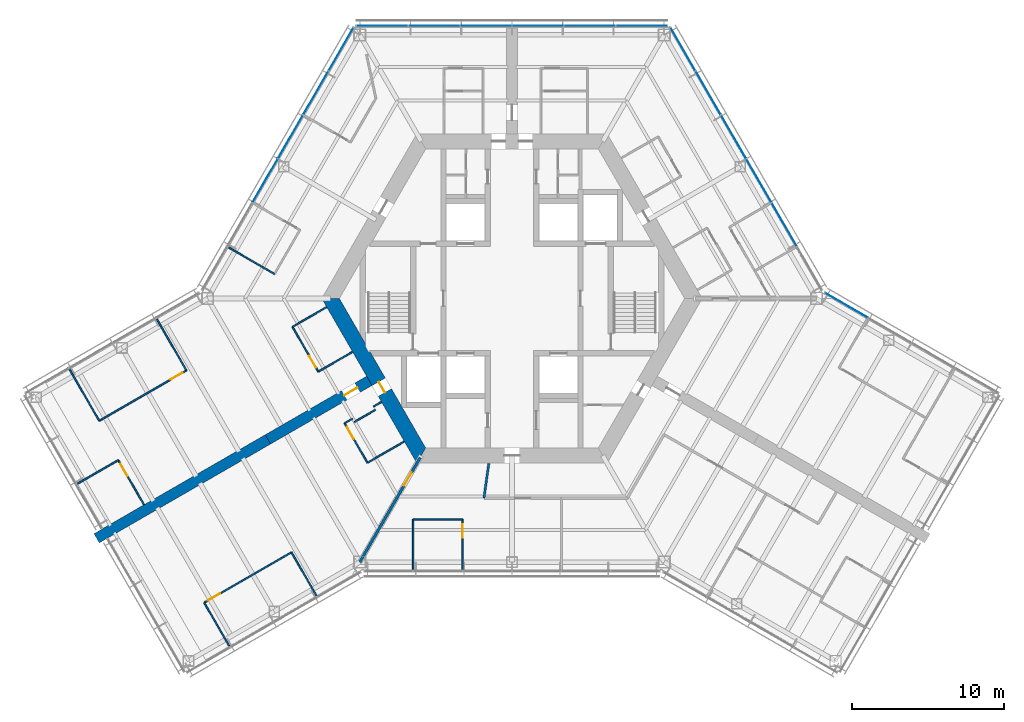
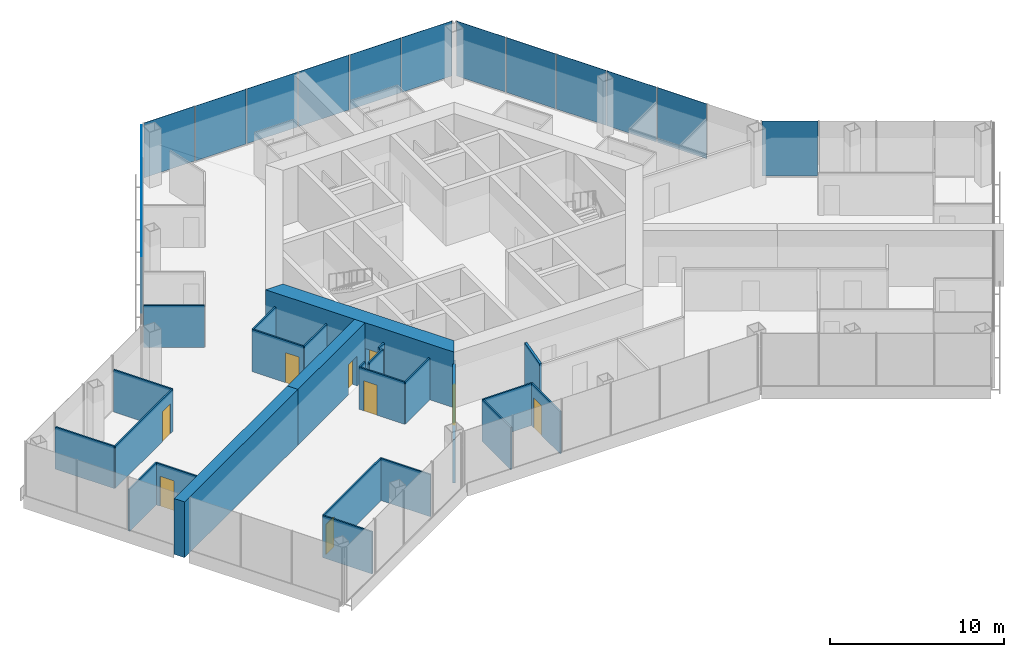
# One storey, part 11 of 18: 25 walls, 16 plates, 9 doors, 9 openings, 4 elements without a shape of their own.
"""IFC4 building model written with IfcOpenShell, lengths in metres."""

import ifcopenshell
import ifcopenshell.guid

model = None  # the IFC model being written
_history = None  # IfcOwnerHistory: only IFC2X3 demands one
_inside = {}  # id of a spatial element -> (the spatial element, [elements in it])
_under = {}  # id of a project, library or spatial element -> (it, [spatial elements below it])
_declared = {}  # id of a project -> (the project, [libraries it declares])
_typed = {}  # id of a type object -> (the type object, [elements of that type])
_made_of = {}  # id of a material, layer set ... -> (it, [elements and type objects made of it])


def new_model(schema):
    """Start an empty IFC model of exactly this schema.

    Asked for "IFC4X3", IfcOpenShell would pick the latest addendum, in which some entities
    have other attributes; the version numbers below select the first issue.
    IFC2X3 requires an IfcOwnerHistory on every rooted entity: one is made here for all.
    """
    global model, _history
    if schema == "IFC4X3":
        model = ifcopenshell.file(schema_version=(4, 3, 0, 0))
    else:
        model = ifcopenshell.file(schema=schema)
    _inside.clear()
    _under.clear()
    _declared.clear()
    _typed.clear()
    _made_of.clear()
    _history = None
    if model.schema == "IFC2X3":
        org = make("IfcOrganization", Name="unknown")
        user = make(
            "IfcPersonAndOrganization",
            ThePerson=make("IfcPerson", FamilyName="unknown"),
            TheOrganization=org,
        )
        app = make(
            "IfcApplication",
            ApplicationDeveloper=org,
            Version="unknown",
            ApplicationFullName="unknown",
            ApplicationIdentifier="unknown",
        )
        _history = make(
            "IfcOwnerHistory",
            OwningUser=user,
            OwningApplication=app,
            ChangeAction="ADDED",
            CreationDate=0,
        )
    return model


def make(cls, **values):
    """One entity of the class cls with the attributes given. An attribute that is None is left unset."""
    return model.create_entity(
        cls, **{name: value for name, value in values.items() if value is not None}
    )


def rooted(cls, **values):
    """An entity with a GlobalId (a new one), such as an element, a storey or a relation."""
    return make(cls, GlobalId=ifcopenshell.guid.new(), OwnerHistory=_history, **values)


def si_unit(unit_type, name, prefix=None):
    """IfcSIUnit, for example si_unit("LENGTHUNIT", "METRE", prefix="MILLI")."""
    return make("IfcSIUnit", UnitType=unit_type, Prefix=prefix, Name=name)


def assignment(units):
    """IfcUnitAssignment: the units of a project."""
    return None if units is None else make("IfcUnitAssignment", Units=units)


def point(xyz):
    """IfcCartesianPoint."""
    return None if xyz is None else make("IfcCartesianPoint", Coordinates=xyz)


def direction(xyz):
    """IfcDirection."""
    return None if xyz is None else make("IfcDirection", DirectionRatios=xyz)


def frame(location, z_axis=None, x_axis=None):
    """IfcAxis2Placement3D, a coordinate frame: its origin and axes. An axis left out is left unset."""
    return make(
        "IfcAxis2Placement3D",
        Location=point(location),
        Axis=direction(z_axis),
        RefDirection=direction(x_axis),
    )


def frame_2d(location, x_axis=None):
    """IfcAxis2Placement2D, a coordinate frame in the plane: its origin and x axis."""
    return make(
        "IfcAxis2Placement2D", Location=point(location), RefDirection=direction(x_axis)
    )


def origin():
    """The frame at (0, 0, 0) with its axes left unset."""
    return frame((0.0, 0.0, 0.0))


def origin_2d():
    """The frame at (0, 0) in the plane with its x axis left unset."""
    return frame_2d((0.0, 0.0))


def place(relative_to, where):
    """IfcLocalPlacement: puts the frame where relative to a parent placement (None: the world)."""
    return make(
        "IfcLocalPlacement", PlacementRelTo=relative_to, RelativePlacement=where
    )


def context(
    kind, dimensions, precision=None, world=None, true_north=None, identifier=None
):
    """IfcGeometricRepresentationContext, for example the 3D "Model" context."""
    return make(
        "IfcGeometricRepresentationContext",
        ContextIdentifier=identifier,
        ContextType=kind,
        CoordinateSpaceDimension=dimensions,
        Precision=precision,
        WorldCoordinateSystem=world,
        TrueNorth=true_north,
    )


def subcontext(parent, identifier, kind, view, scale=None):
    """IfcGeometricRepresentationSubContext, for example "Body" below "Model"."""
    return make(
        "IfcGeometricRepresentationSubContext",
        ContextIdentifier=identifier,
        ContextType=kind,
        ParentContext=parent,
        TargetScale=scale,
        TargetView=view,
    )


def project(units=None, contexts=None):
    """IfcProject with its units and contexts."""
    return rooted(
        "IfcProject",
        Name="project",
        RepresentationContexts=contexts,
        UnitsInContext=assignment(units),
    )


def spatial(cls, under=None, at=None, **own):
    """A site, building, storey or space (cls), placed at a placement, below another one or the project."""
    s = rooted(cls, ObjectPlacement=at, **own)
    if under is not None:
        _under.setdefault(under.id(), (under, []))[1].append(s)
    return s


def polyline(points):
    """IfcPolyline through the points."""
    return make("IfcPolyline", Points=[point(p) for p in points])


def profile(cls, at=None, kind="AREA", **sizes):
    """A parametric profile (cls). Its sizes go by their IFC names, for example OverallWidth=200.0."""
    return make(cls, ProfileType=kind, Position=at, **sizes)


def rectangle(**sizes):
    """IfcRectangleProfileDef."""
    return profile("IfcRectangleProfileDef", **sizes)


def outline(outer, holes=None, kind="AREA"):
    """IfcArbitraryClosedProfileDef: a profile drawn as a closed curve; with holes, ...WithVoids."""
    if holes is None:
        return make("IfcArbitraryClosedProfileDef", ProfileType=kind, OuterCurve=outer)
    return make(
        "IfcArbitraryProfileDefWithVoids",
        ProfileType=kind,
        OuterCurve=outer,
        InnerCurves=holes,
    )


def extrude(swept, where, along, depth):
    """IfcExtrudedAreaSolid: the profile swept, set in the frame where, extruded along a direction by depth."""
    return make(
        "IfcExtrudedAreaSolid",
        SweptArea=swept,
        Position=where,
        ExtrudedDirection=direction(along),
        Depth=depth,
    )


def shape(context_of_items, identifier, shape_type, items):
    """IfcShapeRepresentation: the items that make up one representation, for example the "Body"."""
    return make(
        "IfcShapeRepresentation",
        ContextOfItems=context_of_items,
        RepresentationIdentifier=identifier,
        RepresentationType=shape_type,
        Items=items,
    )


def material(Name=None, Category=None):
    """IfcMaterial."""
    return make("IfcMaterial", Name=Name, Category=Category)


def layer(
    of_material, thickness, ventilated=None, Name=None, Category=None, Priority=None
):
    """IfcMaterialLayer: one layer of a wall or slab, of a material (None: an air gap)."""
    return make(
        "IfcMaterialLayer",
        Material=of_material,
        LayerThickness=thickness,
        IsVentilated=ventilated,
        Name=Name,
        Category=Category,
        Priority=Priority,
    )


def layer_set(layers, Name=None):
    """IfcMaterialLayerSet."""
    return make("IfcMaterialLayerSet", MaterialLayers=layers, LayerSetName=Name)


def made_of(thing, what):
    """Note that an element or type object is made of a material, layer set ...; save() writes the relation."""
    if what is not None:
        _made_of.setdefault(what.id(), (what, []))[1].append(thing)
    return thing


def type_object(cls, material=None, **own):
    """A type object (cls), such as IfcWallType, which elements share."""
    return made_of(rooted(cls, **own), material)


def element(
    cls,
    number,
    at=None,
    inside=None,
    cuts=None,
    type_object=None,
    material=None,
    context=None,
    identifier="Body",
    shape_type=None,
    held_by="IfcProductDefinitionShape",
    body=None,
    shapes=None,
    **own,
):
    """One element of the class cls, such as IfcWall. Its Tag is "e" and its number.

    at: its placement. inside: the storey or other place that contains it. cuts: it is an
    opening in that element (IfcRelVoidsElement). A single representation is given by context,
    identifier, shape_type and body (its items); several are given by shapes. held_by: the class
    of the entity that holds the representations. save() writes the other relations.
    """
    e = rooted(cls, Tag="e%d" % number, ObjectPlacement=at, **own)
    if body is not None:
        shapes = [shape(context, identifier, shape_type, body)]
    if shapes is not None:
        e.Representation = make(held_by, Representations=shapes)
    if inside is not None:
        _inside.setdefault(inside.id(), (inside, []))[1].append(e)
    if cuts is not None:
        rooted(
            "IfcRelVoidsElement", RelatingBuildingElement=cuts, RelatedOpeningElement=e
        )
    if type_object is not None:
        _typed.setdefault(type_object.id(), (type_object, []))[1].append(e)
    return made_of(e, material)


def fill(opening, filler):
    """IfcRelFillsElement: the door or window that sits in an opening."""
    return rooted(
        "IfcRelFillsElement",
        RelatingOpeningElement=opening,
        RelatedBuildingElement=filler,
    )


def aggregate(whole, parts):
    """IfcRelAggregates: a whole, such as a stair, and the parts it consists of."""
    return rooted("IfcRelAggregates", RelatingObject=whole, RelatedObjects=parts)


def save(model, path):
    """Write the relations noted so far, then the file.

    IfcRelAggregates (storeys below a building ...), IfcRelContainedInSpatialStructure (elements
    in a storey), IfcRelDefinesByType, IfcRelAssociatesMaterial and IfcRelDeclares: one each for
    every whole, place, type object, material and project.
    """
    for whole, parts in _under.values():
        aggregate(whole, parts)
    for where, things in _inside.values():
        rooted(
            "IfcRelContainedInSpatialStructure",
            RelatedElements=things,
            RelatingStructure=where,
        )
    for kind, things in _typed.values():
        rooted("IfcRelDefinesByType", RelatedObjects=things, RelatingType=kind)
    for what, things in _made_of.values():
        rooted("IfcRelAssociatesMaterial", RelatedObjects=things, RelatingMaterial=what)
    for by, libraries in _declared.values():
        rooted("IfcRelDeclares", RelatingContext=by, RelatedDefinitions=libraries)
    model.write(path)


model = new_model("IFC4")

# Units and contexts
model_context = context("Model", 3, precision=1e-05, world=origin(), true_north=direction((0.0, 1.0)))
body_context = subcontext(model_context, "Body", "Model", "MODEL_VIEW")
ifc_project = project(units=[si_unit("LENGTHUNIT", "METRE"), si_unit("AREAUNIT", "SQUARE_METRE"), si_unit("VOLUMEUNIT", "CUBIC_METRE"), si_unit("PLANEANGLEUNIT", "RADIAN"), si_unit("MASSUNIT", "GRAM", prefix="KILO")], contexts=[model_context])

# Site, building, storey
site_placement = place(None, origin())
site = spatial("IfcSite", under=ifc_project, at=site_placement, CompositionType="ELEMENT")
building_placement = place(site_placement, origin())
building = spatial("IfcBuilding", under=site, at=building_placement, Name="Kasaneha Research Tower", CompositionType="ELEMENT")
storey_placement = place(building_placement, frame((0.0, 0.0, 172.10009765625)))
storey = spatial("IfcBuildingStorey", under=building, at=storey_placement, Name="L43", CompositionType="ELEMENT", Elevation=172.10009765625)

# Curtain wall, plate
ifc_material_1 = material(Name="Glass and aluminium", Category="aluminium")
curtain_wall_type = type_object("IfcCurtainWallType", Name="Mid-rise office curtain wall", PredefinedType="USERDEFINED", material=ifc_material_1)
curtain_wall_1_placement = place(storey_placement, origin())
curtain_wall_1 = element("IfcCurtainWall", 1, at=curtain_wall_1_placement, inside=storey, type_object=curtain_wall_type, Name="CW-O2 L43 run 05a", ObjectType="UNITISED CURTAIN WALL", PredefinedType="USERDEFINED")
ifc_material_2 = material(Name="Laminated double glazing", Category="glass")
ifc_layer_1 = layer(ifc_material_2, 0.02587890625)
ifc_layer_set_1 = layer_set([ifc_layer_1], Name="CW-O2 glazed panel")
plate_type = type_object("IfcPlateType", Name="CW-O2 glazed panel", PredefinedType="CURTAIN_PANEL", material=ifc_layer_set_1)
plate_1_placement = place(storey_placement, frame((21.971923828125, -0.44580078125, 0.06005859375), z_axis=(0.0, 0.0, 1.0), x_axis=(-0.866025411464, 0.499999986699, 0.0)))
plate_1 = element("IfcPlate", 2, at=plate_1_placement, type_object=plate_type, Name="CW-O2 panel 4", PredefinedType="CURTAIN_PANEL", context=body_context, shape_type="SweptSolid", body=[
    extrude(rectangle(XDim=3.2197265625, YDim=0.02587890625, at=origin_2d()), origin(), (0.0, 0.0, 1.0), 3.840087890625),
])
aggregate(curtain_wall_1, [plate_1])

# Curtain wall, plates
curtain_wall_2_placement = place(storey_placement, origin())
curtain_wall_2 = element("IfcCurtainWall", 3, at=curtain_wall_2_placement, inside=storey, type_object=curtain_wall_type, Name="CW-O2 L43 run 06a", ObjectType="UNITISED CURTAIN WALL", PredefinedType="USERDEFINED")
plate_2_placement = place(storey_placement, frame((17.89111328125, 4.852783203125, 0.06005859375), z_axis=(0.0, 0.0, 1.0), x_axis=(-0.499999979232, 0.866025415775, 0.0)))
plate_2 = element("IfcPlate", 4, at=plate_2_placement, type_object=plate_type, Name="CW-O2 panel 2", PredefinedType="CURTAIN_PANEL", context=body_context, shape_type="SweptSolid", body=[
    extrude(rectangle(XDim=3.27099609375, YDim=0.02587890625, at=origin_2d()), origin(), (0.0, 0.0, 1.0), 3.840087890625),
])
plate_3_placement = place(storey_placement, frame((16.2255859375, 7.737548828125, 0.06005859375), z_axis=(0.0, 0.0, 1.0), x_axis=(-0.499999979232, 0.866025415775, 0.0)))
plate_3 = element("IfcPlate", 5, at=plate_3_placement, type_object=plate_type, Name="CW-O2 panel 3", PredefinedType="CURTAIN_PANEL", context=body_context, shape_type="SweptSolid", body=[
    extrude(rectangle(XDim=3.27099609375, YDim=0.02587890625, at=origin_2d()), origin(), (0.0, 0.0, 1.0), 3.840087890625),
])
plate_4_placement = place(storey_placement, frame((14.56005859375, 10.622314453125, 0.06005859375), z_axis=(0.0, 0.0, 1.0), x_axis=(-0.499999979232, 0.866025415775, 0.0)))
plate_4 = element("IfcPlate", 6, at=plate_4_placement, type_object=plate_type, Name="CW-O2 panel 4", PredefinedType="CURTAIN_PANEL", context=body_context, shape_type="SweptSolid", body=[
    extrude(rectangle(XDim=3.27099609375, YDim=0.02587890625, at=origin_2d()), origin(), (0.0, 0.0, 1.0), 3.840087890625),
])
plate_5_placement = place(storey_placement, frame((12.89453125, 13.5068359375, 0.06005859375), z_axis=(0.0, 0.0, 1.0), x_axis=(-0.499999979232, 0.866025415775, 0.0)))
plate_5 = element("IfcPlate", 7, at=plate_5_placement, type_object=plate_type, Name="CW-O2 panel 5", PredefinedType="CURTAIN_PANEL", context=body_context, shape_type="SweptSolid", body=[
    extrude(rectangle(XDim=3.27099609375, YDim=0.02587890625, at=origin_2d()), origin(), (0.0, 0.0, 1.0), 3.840087890625),
])
plate_6_placement = place(storey_placement, frame((11.236572265625, 16.378662109375, 0.06005859375), z_axis=(0.0, 0.0, 1.0), x_axis=(-0.499999979232, 0.866025415775, 0.0)))
plate_6 = element("IfcPlate", 8, at=plate_6_placement, type_object=plate_type, Name="CW-O2 panel 6", PredefinedType="CURTAIN_PANEL", context=body_context, shape_type="SweptSolid", body=[
    extrude(rectangle(XDim=3.240966796875, YDim=0.02587890625, at=origin_2d()), origin(), (0.0, 0.0, 1.0), 3.840087890625),
])
aggregate(curtain_wall_2, [plate_2, plate_3, plate_4, plate_5, plate_6])

curtain_wall_3_placement = place(storey_placement, origin())
curtain_wall_3 = element("IfcCurtainWall", 9, at=curtain_wall_3_placement, inside=storey, type_object=curtain_wall_type, Name="CW-O2 L43 run 07a", ObjectType="UNITISED CURTAIN WALL", PredefinedType="USERDEFINED")
plate_7_placement = place(storey_placement, frame((8.523681640625, 17.92041015625, 0.06005859375), z_axis=(0.0, 0.0, 1.0), x_axis=(-1.0, 0.0, 0.0)))
plate_7 = element("IfcPlate", 10, at=plate_7_placement, type_object=plate_type, Name="CW-O2 panel 1", PredefinedType="CURTAIN_PANEL", context=body_context, shape_type="SweptSolid", body=[
    extrude(rectangle(XDim=3.325439453125, YDim=0.02587890625, at=origin_2d()), origin(), (0.0, 0.0, 1.0), 3.840087890625),
])
plate_8_placement = place(storey_placement, frame((5.123291015625, 17.92041015625, 0.06005859375), z_axis=(0.0, 0.0, 1.0), x_axis=(-1.0, 0.0, 0.0)))
plate_8 = element("IfcPlate", 11, at=plate_8_placement, type_object=plate_type, Name="CW-O2 panel 2", PredefinedType="CURTAIN_PANEL", context=body_context, shape_type="SweptSolid", body=[
    extrude(rectangle(XDim=3.35546875, YDim=0.02587890625, at=origin_2d()), origin(), (0.0, 0.0, 1.0), 3.840087890625),
])
plate_9_placement = place(storey_placement, frame((1.707763671875, 17.92041015625, 0.06005859375), z_axis=(0.0, 0.0, 1.0), x_axis=(-1.0, 0.0, 0.0)))
plate_9 = element("IfcPlate", 12, at=plate_9_placement, type_object=plate_type, Name="CW-O2 panel 3", PredefinedType="CURTAIN_PANEL", context=body_context, shape_type="SweptSolid", body=[
    extrude(rectangle(XDim=3.35546875, YDim=0.02587890625, at=origin_2d()), origin(), (0.0, 0.0, 1.0), 3.840087890625),
])
plate_10_placement = place(storey_placement, frame((-1.707763671875, 17.92041015625, 0.06005859375), z_axis=(0.0, 0.0, 1.0), x_axis=(-1.0, 0.0, 0.0)))
plate_10 = element("IfcPlate", 13, at=plate_10_placement, type_object=plate_type, Name="CW-O2 panel 4", PredefinedType="CURTAIN_PANEL", context=body_context, shape_type="SweptSolid", body=[
    extrude(rectangle(XDim=3.35546875, YDim=0.02587890625, at=origin_2d()), origin(), (0.0, 0.0, 1.0), 3.840087890625),
])
plate_11_placement = place(storey_placement, frame((-5.123291015625, 17.92041015625, 0.06005859375), z_axis=(0.0, 0.0, 1.0), x_axis=(-1.0, 0.0, 0.0)))
plate_11 = element("IfcPlate", 14, at=plate_11_placement, type_object=plate_type, Name="CW-O2 panel 5", PredefinedType="CURTAIN_PANEL", context=body_context, shape_type="SweptSolid", body=[
    extrude(rectangle(XDim=3.35546875, YDim=0.02587890625, at=origin_2d()), origin(), (0.0, 0.0, 1.0), 3.840087890625),
])
plate_12_placement = place(storey_placement, frame((-8.523681640625, 17.92041015625, 0.06005859375), z_axis=(0.0, 0.0, 1.0), x_axis=(-1.0, 0.0, 0.0)))
plate_12 = element("IfcPlate", 15, at=plate_12_placement, type_object=plate_type, Name="CW-O2 panel 6", PredefinedType="CURTAIN_PANEL", context=body_context, shape_type="SweptSolid", body=[
    extrude(rectangle(XDim=3.325439453125, YDim=0.02587890625, at=origin_2d()), origin(), (0.0, 0.0, 1.0), 3.840087890625),
])
aggregate(curtain_wall_3, [plate_7, plate_8, plate_9, plate_10, plate_11, plate_12])

curtain_wall_4_placement = place(storey_placement, origin())
curtain_wall_4 = element("IfcCurtainWall", 16, at=curtain_wall_4_placement, inside=storey, type_object=curtain_wall_type, Name="CW-O2 L43 run 08a", ObjectType="UNITISED CURTAIN WALL", PredefinedType="USERDEFINED")
plate_13_placement = place(storey_placement, frame((-11.236572265625, 16.378662109375, 0.06005859375), z_axis=(0.0, 0.0, 1.0), x_axis=(-0.499999979232, -0.866025415775, 0.0)))
plate_13 = element("IfcPlate", 17, at=plate_13_placement, type_object=plate_type, Name="CW-O2 panel 1", PredefinedType="CURTAIN_PANEL", context=body_context, shape_type="SweptSolid", body=[
    extrude(rectangle(XDim=3.240966796875, YDim=0.02587890625, at=origin_2d()), origin(), (0.0, 0.0, 1.0), 3.840087890625),
])
plate_14_placement = place(storey_placement, frame((-12.89453125, 13.5068359375, 0.06005859375), z_axis=(0.0, 0.0, 1.0), x_axis=(-0.499999979232, -0.866025415775, 0.0)))
plate_14 = element("IfcPlate", 18, at=plate_14_placement, type_object=plate_type, Name="CW-O2 panel 2", PredefinedType="CURTAIN_PANEL", context=body_context, shape_type="SweptSolid", body=[
    extrude(rectangle(XDim=3.27099609375, YDim=0.02587890625, at=origin_2d()), origin(), (0.0, 0.0, 1.0), 3.840087890625),
])
plate_15_placement = place(storey_placement, frame((-14.56005859375, 10.622314453125, 0.06005859375), z_axis=(0.0, 0.0, 1.0), x_axis=(-0.499999979232, -0.866025415775, 0.0)))
plate_15 = element("IfcPlate", 19, at=plate_15_placement, type_object=plate_type, Name="CW-O2 panel 3", PredefinedType="CURTAIN_PANEL", context=body_context, shape_type="SweptSolid", body=[
    extrude(rectangle(XDim=3.27099609375, YDim=0.02587890625, at=origin_2d()), origin(), (0.0, 0.0, 1.0), 3.840087890625),
])
plate_16_placement = place(storey_placement, frame((-16.2255859375, 7.737548828125, 0.06005859375), z_axis=(0.0, 0.0, 1.0), x_axis=(-0.499999979232, -0.866025415775, 0.0)))
plate_16 = element("IfcPlate", 20, at=plate_16_placement, type_object=plate_type, Name="CW-O2 panel 4", PredefinedType="CURTAIN_PANEL", context=body_context, shape_type="SweptSolid", body=[
    extrude(rectangle(XDim=3.27099609375, YDim=0.02587890625, at=origin_2d()), origin(), (0.0, 0.0, 1.0), 3.840087890625),
])
aggregate(curtain_wall_4, [plate_13, plate_14, plate_15, plate_16])

# Wall, opening, door
ifc_material_3 = material(Name="Concrete Fc70", Category="concrete")
ifc_layer_2 = layer(ifc_material_3, 1.0)
ifc_layer_set_2 = layer_set([ifc_layer_2], Name="Core wall 1000 Fc70")
wall_type_1 = type_object("IfcWallType", Name="Core wall 1000 Fc70", PredefinedType="SHEAR", material=ifc_layer_set_2)
wall_1_placement = place(storey_placement, frame((-11.92236328125, 0.0, 0.0), z_axis=(0.0, 0.0, 1.0), x_axis=(0.500004296715, -0.866022923061, 0.0)))
wall_1 = element("IfcWall", 21, at=wall_1_placement, inside=storey, type_object=wall_type_1, Name="Core wall 210 L43", PredefinedType="SHEAR", context=body_context, shape_type="SweptSolid", body=[
    extrude(outline(polyline([(-0.28857421875, -0.5), (6.3310546875, -0.5), (7.131103515625, -0.5), (12.2109375, -0.5), (11.6337890625, 0.5), (7.131103515625, 0.5), (6.3310546875, 0.5), (0.28857421875, 0.5), (-0.28857421875, -0.5)])), origin(), (0.0, 0.0, 1.0), 3.89990234375),
])
opening_1_placement = place(wall_1_placement, frame((6.3310546875, 0.0, 0.0)))
opening_1 = element("IfcOpeningElement", 22, at=opening_1_placement, cuts=wall_1, Name="Opening L43-D06", PredefinedType="OPENING", context=body_context, shape_type="SweptSolid", body=[
    extrude(rectangle(XDim=0.800048828125, YDim=2.10009765625, at=frame_2d((0.39990234375, 1.050048828125))), frame((0.0, 0.510009765625, 0.0), z_axis=(0.0, -1.0, 0.0), x_axis=(1.0, 0.0, 0.0)), (0.0, 0.0, 1.0), 1.02001953125),
])
ifc_material_4 = material(Name="Steel", Category="steel")
door_type_1 = type_object("IfcDoorType", Name="Riser access door FD60 800x2100", OperationType="NOTDEFINED", PredefinedType="DOOR", material=ifc_material_4)
door_1_placement = place(opening_1_placement, origin())
door_1 = element("IfcDoor", 23, at=door_1_placement, inside=storey, type_object=door_type_1, Name="Duct riser door L43-D06", OperationType="SINGLE_SWING_RIGHT", OverallHeight=2.10009765625, OverallWidth=0.800048828125, PredefinedType="DOOR", context=body_context, shape_type="SweptSolid", body=[
    extrude(rectangle(XDim=0.800048828125, YDim=2.10009765625, at=frame_2d((0.39990234375, 1.050048828125))), frame((0.0, 0.02490234375, 0.0), z_axis=(0.0, -1.0, 0.0), x_axis=(1.0, 0.0, 0.0)), (0.0, 0.0, 1.0), 0.050048828125),
])
fill(opening_1, door_1)

# Walls
ifc_material_5 = material(Name="Gypsum board on steel studs, one layer each side", Category="steel")
ifc_layer_3 = layer(ifc_material_5, 0.10009765625)
ifc_layer_set_3 = layer_set([ifc_layer_3], Name="Office partition 100")
wall_type_2 = type_object("IfcWallType", Name="Office partition 100", PredefinedType="PARTITIONING", material=ifc_layer_set_3)
wall_2_placement = place(storey_placement, frame((-15.606201171875, 1.610595703125, 0.0), z_axis=(0.0, 0.0, 1.0), x_axis=(-0.86601968407, 0.500009906705, 0.0)))
element("IfcWall", 24, at=wall_2_placement, inside=storey, type_object=wall_type_2, Name="Office partition FBN05 L43", PredefinedType="PARTITIONING", context=body_context, shape_type="SweptSolid", body=[
    extrude(rectangle(XDim=3.47998046875, YDim=0.10009765625, at=frame_2d((1.739990234375, 0.0))), origin(), (0.0, 0.0, 1.0), 2.949951171875),
])
wall_3_placement = place(storey_placement, frame((-27.125, -8.03955078125, 0.0), z_axis=(0.0, 0.0, 1.0), x_axis=(-0.499978621081, 0.866037746557, 0.0)))
element("IfcWall", 25, at=wall_3_placement, inside=storey, type_object=wall_type_2, Name="Office partition FBN07 L43", PredefinedType="PARTITIONING", context=body_context, shape_type="SweptSolid", body=[
    extrude(rectangle(XDim=3.905029296875, YDim=0.10009765625, at=frame_2d((1.95263671875, 0.0))), origin(), (0.0, 0.0, 1.0), 2.949951171875),
])
wall_4_placement = place(storey_placement, frame((-23.332275390625, -1.36962890625, 0.0), z_axis=(0.0, 0.0, 1.0), x_axis=(0.500043804875, -0.866000111551, 0.0)))
element("IfcWall", 26, at=wall_4_placement, inside=storey, type_object=wall_type_2, Name="Office partition FBN08 L43", PredefinedType="PARTITIONING", context=body_context, shape_type="SweptSolid", body=[
    extrude(rectangle(XDim=3.880126953125, YDim=0.10009765625, at=frame_2d((1.93994140625, 0.0))), origin(), (0.0, 0.0, 1.0), 2.949951171875),
])

# Wall, opening, door
wall_5_placement = place(storey_placement, frame((-21.39208984375, -4.729736328125, 0.0), z_axis=(0.0, 0.0, 1.0), x_axis=(-0.866030817826, -0.499990622488, 0.0)))
wall_5 = element("IfcWall", 27, at=wall_5_placement, inside=storey, type_object=wall_type_2, Name="Office partition FBN09 L43", PredefinedType="PARTITIONING", context=body_context, shape_type="SweptSolid", body=[
    extrude(rectangle(XDim=6.619873046875, YDim=0.10009765625, at=frame_2d((3.31005859375, 0.0))), origin(), (0.0, 0.0, 1.0), 2.949951171875),
])
opening_2_placement = place(wall_5_placement, frame((0.300048828125, 0.0, 0.0)))
opening_2 = element("IfcOpeningElement", 28, at=opening_2_placement, cuts=wall_5, Name="Opening L43-D37", PredefinedType="OPENING", context=body_context, shape_type="SweptSolid", body=[
    extrude(rectangle(XDim=0.89990234375, YDim=2.10009765625, at=frame_2d((0.449951171875, 1.050048828125))), frame((0.0, 0.06005859375, 0.0), z_axis=(0.0, -1.0, 0.0), x_axis=(1.0, 0.0, 0.0)), (0.0, 0.0, 1.0), 0.1201171875),
])
ifc_material_6 = material(Name="Timber veneer", Category="wood")
door_type_2 = type_object("IfcDoorType", Name="Office door 900x2100", OperationType="SINGLE_SWING_LEFT", PredefinedType="DOOR", material=ifc_material_6)
door_2_placement = place(opening_2_placement, origin())
door_2 = element("IfcDoor", 29, at=door_2_placement, inside=storey, type_object=door_type_2, Name="Meeting room door L43-D37", OperationType="SINGLE_SWING_LEFT", OverallHeight=2.10009765625, OverallWidth=0.89990234375, PredefinedType="DOOR", context=body_context, shape_type="SweptSolid", body=[
    extrude(rectangle(XDim=0.89990234375, YDim=2.10009765625, at=frame_2d((0.449951171875, 1.050048828125))), frame((0.0, 0.02490234375, 0.0), z_axis=(0.0, -1.0, 0.0), x_axis=(1.0, 0.0, 0.0)), (0.0, 0.0, 1.0), 0.050048828125),
])
fill(opening_2, door_2)

# Wall
wall_6_placement = place(storey_placement, frame((-14.426513671875, -1.86279296875, 0.0), z_axis=(0.0, 0.0, 1.0), x_axis=(0.866045356598, 0.49996543912, 0.0)))
element("IfcWall", 30, at=wall_6_placement, inside=storey, type_object=wall_type_2, Name="Office partition FBN10 L43", PredefinedType="PARTITIONING", context=body_context, shape_type="SweptSolid", body=[
    extrude(rectangle(XDim=2.580322265625, YDim=0.10009765625, at=frame_2d((1.2900390625, 0.0))), origin(), (0.0, 0.0, 1.0), 2.949951171875),
])

# Wall, opening, door
wall_7_placement = place(storey_placement, frame((-12.726318359375, -4.80712890625, 0.0), z_axis=(0.0, 0.0, 1.0), x_axis=(-0.500062241894, 0.865989465428, 0.0)))
wall_7 = element("IfcWall", 31, at=wall_7_placement, inside=storey, type_object=wall_type_2, Name="Office partition FBN11 L43", PredefinedType="PARTITIONING", context=body_context, shape_type="SweptSolid", body=[
    extrude(rectangle(XDim=3.39990234375, YDim=0.10009765625, at=frame_2d((1.699951171875, 0.0))), origin(), (0.0, 0.0, 1.0), 2.949951171875),
])
opening_3_placement = place(wall_7_placement, frame((0.300048828125, 0.0, 0.0)))
opening_3 = element("IfcOpeningElement", 32, at=opening_3_placement, cuts=wall_7, Name="Opening L43-D38", PredefinedType="OPENING", context=body_context, shape_type="SweptSolid", body=[
    extrude(rectangle(XDim=0.89990234375, YDim=2.10009765625, at=frame_2d((0.449951171875, 1.050048828125))), frame((0.0, 0.06005859375, 0.0), z_axis=(0.0, -1.0, 0.0), x_axis=(1.0, 0.0, 0.0)), (0.0, 0.0, 1.0), 0.1201171875),
])
door_3_placement = place(opening_3_placement, origin())
door_3 = element("IfcDoor", 33, at=door_3_placement, inside=storey, type_object=door_type_2, Name="Phone room door L43-D38", OperationType="SINGLE_SWING_LEFT", OverallHeight=2.10009765625, OverallWidth=0.89990234375, PredefinedType="DOOR", context=body_context, shape_type="SweptSolid", body=[
    extrude(rectangle(XDim=0.89990234375, YDim=2.10009765625, at=frame_2d((0.449951171875, 1.050048828125))), frame((0.0, 0.02490234375, 0.0), z_axis=(0.0, -1.0, 0.0), x_axis=(1.0, 0.0, 0.0)), (0.0, 0.0, 1.0), 0.050048828125),
])
fill(opening_3, door_3)

# Walls
wall_8_placement = place(storey_placement, frame((-10.491943359375, -3.51708984375, 0.0), z_axis=(0.0, 0.0, 1.0), x_axis=(-0.866021702275, -0.500006411147, 0.0)))
element("IfcWall", 34, at=wall_8_placement, inside=storey, type_object=wall_type_2, Name="Office partition FBN12 L43", PredefinedType="PARTITIONING", context=body_context, shape_type="SweptSolid", body=[
    extrude(rectangle(XDim=2.580078125, YDim=0.10009765625, at=frame_2d((1.2900390625, 0.0))), origin(), (0.0, 0.0, 1.0), 2.949951171875),
])
wall_9_placement = place(storey_placement, frame((-28.5625, -12.1796875, 0.0), z_axis=(0.0, 0.0, 1.0), x_axis=(0.866042875753, 0.499969736442, 0.0)))
element("IfcWall", 35, at=wall_9_placement, inside=storey, type_object=wall_type_2, Name="Office partition FBN13 L43", PredefinedType="PARTITIONING", context=body_context, shape_type="SweptSolid", body=[
    extrude(rectangle(XDim=3.105224609375, YDim=0.10009765625, at=frame_2d((1.552734375, 0.0))), origin(), (0.0, 0.0, 1.0), 2.949951171875),
])

# Wall, opening, door
wall_10_placement = place(storey_placement, frame((-25.873291015625, -10.627197265625, 0.0), z_axis=(0.0, 0.0, 1.0), x_axis=(0.5000115033, -0.866018762249, 0.0)))
wall_10 = element("IfcWall", 36, at=wall_10_placement, inside=storey, type_object=wall_type_2, Name="Office partition FBN14 L43", PredefinedType="PARTITIONING", context=body_context, shape_type="SweptSolid", body=[
    extrude(rectangle(XDim=3.36328125, YDim=0.10009765625, at=frame_2d((1.681640625, 0.0))), origin(), (0.0, 0.0, 1.0), 2.949951171875),
])
opening_4_placement = place(wall_10_placement, frame((0.300048828125, 0.0, 0.0)))
opening_4 = element("IfcOpeningElement", 37, at=opening_4_placement, cuts=wall_10, Name="Opening L43-D39", PredefinedType="OPENING", context=body_context, shape_type="SweptSolid", body=[
    extrude(rectangle(XDim=0.89990234375, YDim=2.10009765625, at=frame_2d((0.449951171875, 1.050048828125))), frame((0.0, 0.06005859375, 0.0), z_axis=(0.0, -1.0, 0.0), x_axis=(1.0, 0.0, 0.0)), (0.0, 0.0, 1.0), 0.1201171875),
])
door_4_placement = place(opening_4_placement, origin())
door_4 = element("IfcDoor", 38, at=door_4_placement, inside=storey, type_object=door_type_2, Name="Workroom door L43-D39", OperationType="SINGLE_SWING_LEFT", OverallHeight=2.10009765625, OverallWidth=0.89990234375, PredefinedType="DOOR", context=body_context, shape_type="SweptSolid", body=[
    extrude(rectangle(XDim=0.89990234375, YDim=2.10009765625, at=frame_2d((0.449951171875, 1.050048828125))), frame((0.0, 0.02490234375, 0.0), z_axis=(0.0, -1.0, 0.0), x_axis=(1.0, 0.0, 0.0)), (0.0, 0.0, 1.0), 0.050048828125),
])
fill(opening_4, door_4)

# Walls
wall_11_placement = place(storey_placement, frame((-10.99951171875, -8.197998046875, 0.0), z_axis=(0.0, 0.0, 1.0), x_axis=(0.866131372301, 0.499816412211, 0.0)))
element("IfcWall", 39, at=wall_11_placement, inside=storey, type_object=wall_type_2, Name="Office partition FBS01 L43", PredefinedType="PARTITIONING", context=body_context, shape_type="SweptSolid", body=[
    extrude(rectangle(XDim=0.599853515625, YDim=0.10009765625, at=frame_2d((0.2998046875, 0.0))), origin(), (0.0, 0.0, 1.0), 2.949951171875),
])
wall_12_placement = place(storey_placement, frame((-10.35498046875, -8.114501953125, 0.0), z_axis=(0.0, 0.0, 1.0), x_axis=(0.866094119867, 0.499880961361, 0.0)))
element("IfcWall", 40, at=wall_12_placement, inside=storey, type_object=wall_type_2, Name="Office partition FBS02 L43", PredefinedType="PARTITIONING", context=body_context, shape_type="SweptSolid", body=[
    extrude(rectangle(XDim=1.60009765625, YDim=0.10009765625, at=frame_2d((0.800048828125, 0.0))), origin(), (0.0, 0.0, 1.0), 2.949951171875),
])

# Wall, opening, door
wall_13_placement = place(storey_placement, frame((-9.49951171875, -10.796142578125, 0.0), z_axis=(0.0, 0.0, 1.0), x_axis=(-0.499990139034, 0.866031096941, 0.0)))
wall_13 = element("IfcWall", 41, at=wall_13_placement, inside=storey, type_object=wall_type_2, Name="Office partition FBS03 L43", PredefinedType="PARTITIONING", context=body_context, shape_type="SweptSolid", body=[
    extrude(rectangle(XDim=3.0, YDim=0.10009765625, at=frame_2d((1.5, 0.0))), origin(), (0.0, 0.0, 1.0), 2.949951171875),
])
opening_5_placement = place(wall_13_placement, frame((1.800048828125, 0.0, 0.0)))
opening_5 = element("IfcOpeningElement", 42, at=opening_5_placement, cuts=wall_13, Name="Opening L43-D40", PredefinedType="OPENING", context=body_context, shape_type="SweptSolid", body=[
    extrude(rectangle(XDim=0.89990234375, YDim=2.10009765625, at=frame_2d((0.449951171875, 1.050048828125))), frame((0.0, 0.06005859375, 0.0), z_axis=(0.0, -1.0, 0.0), x_axis=(1.0, 0.0, 0.0)), (0.0, 0.0, 1.0), 0.1201171875),
])
door_5_placement = place(opening_5_placement, origin())
door_5 = element("IfcDoor", 43, at=door_5_placement, inside=storey, type_object=door_type_2, Name="Pantry door L43-D40", OperationType="SINGLE_SWING_RIGHT", OverallHeight=2.10009765625, OverallWidth=0.89990234375, PredefinedType="DOOR", context=body_context, shape_type="SweptSolid", body=[
    extrude(rectangle(XDim=0.89990234375, YDim=2.10009765625, at=frame_2d((0.449951171875, 1.050048828125))), frame((0.0, 0.02490234375, 0.0), z_axis=(0.0, -1.0, 0.0), x_axis=(1.0, 0.0, 0.0)), (0.0, 0.0, 1.0), 0.050048828125),
])
fill(opening_5, door_5)

# Walls
wall_14_placement = place(storey_placement, frame((-9.09423828125, -7.09814453125, 0.0), z_axis=(0.0, 0.0, 1.0), x_axis=(0.865954211699, 0.50012328804, 0.0)))
element("IfcWall", 44, at=wall_14_placement, inside=storey, type_object=wall_type_2, Name="Office partition FBS04 L43", PredefinedType="PARTITIONING", context=body_context, shape_type="SweptSolid", body=[
    extrude(rectangle(XDim=0.579833984375, YDim=0.10009765625, at=frame_2d((0.2900390625, 0.0))), origin(), (0.0, 0.0, 1.0), 2.949951171875),
])
wall_15_placement = place(storey_placement, frame((-7.092041015625, -9.40625, 0.0), z_axis=(0.0, 0.0, 1.0), x_axis=(-0.86603494908, -0.499983466698, 0.0)))
element("IfcWall", 45, at=wall_15_placement, inside=storey, type_object=wall_type_2, Name="Office partition FBS05 L43", PredefinedType="PARTITIONING", context=body_context, shape_type="SweptSolid", body=[
    extrude(rectangle(XDim=2.77978515625, YDim=0.10009765625, at=frame_2d((1.389892578125, 0.0))), origin(), (0.0, 0.0, 1.0), 2.949951171875),
])

# Wall, opening, door
wall_16_placement = place(storey_placement, frame((-20.22509765625, -19.99072265625, 0.0), z_axis=(0.0, 0.0, 1.0), x_axis=(0.866030817826, 0.499990622488, 0.0)))
wall_16 = element("IfcWall", 46, at=wall_16_placement, inside=storey, type_object=wall_type_2, Name="Office partition FBS06 L43", PredefinedType="PARTITIONING", context=body_context, shape_type="SweptSolid", body=[
    extrude(rectangle(XDim=6.619873046875, YDim=0.10009765625, at=frame_2d((3.31005859375, 0.0))), origin(), (0.0, 0.0, 1.0), 2.949951171875),
])
opening_6_placement = place(wall_16_placement, frame((0.300048828125, 0.0, 0.0)))
opening_6 = element("IfcOpeningElement", 47, at=opening_6_placement, cuts=wall_16, Name="Opening L43-D41", PredefinedType="OPENING", context=body_context, shape_type="SweptSolid", body=[
    extrude(rectangle(XDim=0.89990234375, YDim=2.10009765625, at=frame_2d((0.449951171875, 1.050048828125))), frame((0.0, 0.06005859375, 0.0), z_axis=(0.0, -1.0, 0.0), x_axis=(1.0, 0.0, 0.0)), (0.0, 0.0, 1.0), 0.1201171875),
])
door_6_placement = place(opening_6_placement, origin())
door_6 = element("IfcDoor", 48, at=door_6_placement, inside=storey, type_object=door_type_2, Name="Manager's office door L43-D41", OperationType="SINGLE_SWING_LEFT", OverallHeight=2.10009765625, OverallWidth=0.89990234375, PredefinedType="DOOR", context=body_context, shape_type="SweptSolid", body=[
    extrude(rectangle(XDim=0.89990234375, YDim=2.10009765625, at=frame_2d((0.449951171875, 1.050048828125))), frame((0.0, 0.02490234375, 0.0), z_axis=(0.0, -1.0, 0.0), x_axis=(1.0, 0.0, 0.0)), (0.0, 0.0, 1.0), 0.050048828125),
])
fill(opening_6, door_6)

# Walls
wall_17_placement = place(storey_placement, frame((-18.5849609375, -22.831298828125, 0.0), z_axis=(0.0, 0.0, 1.0), x_axis=(-0.50002956483, 0.866008333849, 0.0)))
element("IfcWall", 49, at=wall_17_placement, inside=storey, type_object=wall_type_2, Name="Office partition FBS07 L43", PredefinedType="PARTITIONING", context=body_context, shape_type="SweptSolid", body=[
    extrude(rectangle(XDim=3.280029296875, YDim=0.10009765625, at=frame_2d((1.64013671875, 0.0))), origin(), (0.0, 0.0, 1.0), 2.949951171875),
])
wall_18_placement = place(storey_placement, frame((-14.4921875, -16.680908203125, 0.0), z_axis=(0.0, 0.0, 1.0), x_axis=(0.500008057651, -0.866020751647, 0.0)))
element("IfcWall", 50, at=wall_18_placement, inside=storey, type_object=wall_type_2, Name="Office partition FBS08 L43", PredefinedType="PARTITIONING", context=body_context, shape_type="SweptSolid", body=[
    extrude(rectangle(XDim=3.30517578125, YDim=0.10009765625, at=frame_2d((1.652587890625, 0.0))), origin(), (0.0, 0.0, 1.0), 2.949951171875),
])
wall_19_placement = place(storey_placement, frame((-6.492919921875, -17.800537109375, 0.0), z_axis=(0.0, 0.0, 1.0), x_axis=(0.0, 1.0, 0.0)))
element("IfcWall", 51, at=wall_19_placement, inside=storey, type_object=wall_type_2, Name="Office partition FCS12 L43", PredefinedType="PARTITIONING", context=body_context, shape_type="SweptSolid", body=[
    extrude(rectangle(XDim=3.280029296875, YDim=0.10009765625, at=frame_2d((1.64013671875, 0.0))), origin(), (0.0, 0.0, 1.0), 2.949951171875),
])
wall_20_placement = place(storey_placement, frame((-6.492919921875, -14.5205078125, 0.0), z_axis=(0.0, 0.0, 1.0), x_axis=(1.0, 0.0, 0.0)))
element("IfcWall", 52, at=wall_20_placement, inside=storey, type_object=wall_type_2, Name="Office partition FCS13 L43", PredefinedType="PARTITIONING", context=body_context, shape_type="SweptSolid", body=[
    extrude(rectangle(XDim=3.24658203125, YDim=0.10009765625, at=frame_2d((1.623291015625, 0.0))), origin(), (0.0, 0.0, 1.0), 2.949951171875),
])

# Wall, opening, door
wall_21_placement = place(storey_placement, frame((-3.246337890625, -14.5205078125, 0.0), z_axis=(0.0, 0.0, 1.0), x_axis=(0.0, -1.0, 0.0)))
wall_21 = element("IfcWall", 53, at=wall_21_placement, inside=storey, type_object=wall_type_2, Name="Office partition FCS14 L43", PredefinedType="PARTITIONING", context=body_context, shape_type="SweptSolid", body=[
    extrude(rectangle(XDim=3.330078125, YDim=0.10009765625, at=frame_2d((1.6650390625, 0.0))), origin(), (0.0, 0.0, 1.0), 2.949951171875),
])
opening_7_placement = place(wall_21_placement, frame((0.300048828125, 0.0, 0.0)))
opening_7 = element("IfcOpeningElement", 54, at=opening_7_placement, cuts=wall_21, Name="Opening L43-D48", PredefinedType="OPENING", context=body_context, shape_type="SweptSolid", body=[
    extrude(rectangle(XDim=0.89990234375, YDim=2.10009765625, at=frame_2d((0.449951171875, 1.050048828125))), frame((0.0, 0.06005859375, 0.0), z_axis=(0.0, -1.0, 0.0), x_axis=(1.0, 0.0, 0.0)), (0.0, 0.0, 1.0), 0.1201171875),
])
door_7_placement = place(opening_7_placement, origin())
door_7 = element("IfcDoor", 55, at=door_7_placement, inside=storey, type_object=door_type_2, Name="Manager's office door L43-D48", OperationType="SINGLE_SWING_LEFT", OverallHeight=2.10009765625, OverallWidth=0.89990234375, PredefinedType="DOOR", context=body_context, shape_type="SweptSolid", body=[
    extrude(rectangle(XDim=0.89990234375, YDim=2.10009765625, at=frame_2d((0.449951171875, 1.050048828125))), frame((0.0, 0.02490234375, 0.0), z_axis=(0.0, -1.0, 0.0), x_axis=(1.0, 0.0, 0.0)), (0.0, 0.0, 1.0), 0.050048828125),
])
fill(opening_7, door_7)

ifc_material_7 = material(Name="Concrete Fc70", Category="concrete")
ifc_layer_4 = layer(ifc_material_7, 0.699951171875)
ifc_layer_set_4 = layer_set([ifc_layer_4], Name="Spine wall 700 Fc70")
wall_type_3 = type_object("IfcWallType", Name="Spine wall 700 Fc70", PredefinedType="SHEAR", material=ifc_layer_set_4)
wall_22_placement = place(storey_placement, frame((-9.374755859375, -5.41259765625, 0.0), z_axis=(0.0, 0.0, 1.0), x_axis=(-0.866032377459, -0.499987921047, 0.0)))
wall_22 = element("IfcWall", 56, at=wall_22_placement, inside=storey, type_object=wall_type_3, Name="Spine wall B L43", PredefinedType="SHEAR", context=body_context, shape_type="SweptSolid", body=[
    extrude(rectangle(XDim=7.695556640625, YDim=0.699951171875, at=frame_2d((3.84765625, 0.0))), origin(), (0.0, 0.0, 1.0), 3.89990234375),
])
opening_8_placement = place(wall_22_placement, frame((0.89990234375, 0.0, 0.0)))
opening_8 = element("IfcOpeningElement", 57, at=opening_8_placement, cuts=wall_22, Name="Opening L43-D18", PredefinedType="OPENING", context=body_context, shape_type="SweptSolid", body=[
    extrude(rectangle(XDim=1.0, YDim=2.10009765625, at=frame_2d((0.5, 1.050048828125))), frame((0.0, 0.35986328125, 0.0), z_axis=(0.0, -1.0, 0.0), x_axis=(1.0, 0.0, 0.0)), (0.0, 0.0, 1.0), 0.719970703125),
])
ifc_material_8 = material(Name="Steel", Category="steel")
door_type_3 = type_object("IfcDoorType", Name="Specified fire door FD60 1000x2100", OperationType="NOTDEFINED", PredefinedType="DOOR", material=ifc_material_8)
door_8_placement = place(opening_8_placement, origin())
door_8 = element("IfcDoor", 58, at=door_8_placement, inside=storey, type_object=door_type_3, Name="Spine doorway B L43-D18", OperationType="SINGLE_SWING_LEFT", OverallHeight=2.10009765625, OverallWidth=1.0, PredefinedType="DOOR", context=body_context, shape_type="SweptSolid", body=[
    extrude(rectangle(XDim=1.0, YDim=2.10009765625, at=frame_2d((0.5, 1.050048828125))), frame((0.0, 0.02490234375, 0.0), z_axis=(0.0, -1.0, 0.0), x_axis=(1.0, 0.0, 0.0)), (0.0, 0.0, 1.0), 0.050048828125),
])
fill(opening_8, door_8)

# Walls
wall_23_placement = place(storey_placement, frame((-16.039306640625, -9.26025390625, 0.0), z_axis=(0.0, 0.0, 1.0), x_axis=(-0.866024837091, -0.50000098154, 0.0)))
element("IfcWall", 59, at=wall_23_placement, inside=storey, type_object=wall_type_3, Name="Spine wall B wing L43", PredefinedType="SHEAR", context=body_context, shape_type="SweptSolid", body=[
    extrude(rectangle(XDim=13.0, YDim=0.699951171875, at=frame_2d((6.5, 0.0))), origin(), (0.0, 0.0, 1.0), 3.89990234375),
])
ifc_material_9 = material(Name="Gypsum board on steel studs, two layers each side", Category="steel")
ifc_layer_5 = layer(ifc_material_9, 0.14990234375)
ifc_layer_set_5 = layer_set([ifc_layer_5], Name="Suite partition 150")
wall_type_4 = type_object("IfcWallType", Name="Suite partition 150", PredefinedType="PARTITIONING", material=ifc_layer_set_5)
wall_24_placement = place(storey_placement, frame((-1.844482421875, -13.125, 0.0), z_axis=(0.0, 0.0, 1.0), x_axis=(0.139119980631, 0.990275532864, 0.0)))
element("IfcWall", 60, at=wall_24_placement, inside=storey, type_object=wall_type_4, Name="Suite partition FCS04 L43", PredefinedType="PARTITIONING", context=body_context, shape_type="SweptSolid", body=[
    extrude(rectangle(XDim=2.302490234375, YDim=0.14990234375, at=frame_2d((1.1513671875, 0.0))), origin(), (0.0, 0.0, 1.0), 2.949951171875),
])

# Wall, opening, door
ifc_material_10 = material(Name="Gypsum board on steel studs, two layers each side", Category="steel")
ifc_layer_6 = layer(ifc_material_10, 0.175048828125)
ifc_layer_set_6 = layer_set([ifc_layer_6], Name="Tenancy fire partition 175")
wall_type_5 = type_object("IfcWallType", Name="Tenancy fire partition 175", PredefinedType="PARTITIONING", material=ifc_layer_set_6)
wall_25_placement = place(storey_placement, frame((-6.034912109375, -10.45263671875, 0.0), z_axis=(0.0, 0.0, 1.0), x_axis=(-0.499989830942, -0.866031274813, 0.0)))
wall_25 = element("IfcWall", 61, at=wall_25_placement, inside=storey, type_object=wall_type_5, Name="Tenancy fire partition T240 L43", PredefinedType="PARTITIONING", context=body_context, shape_type="SweptSolid", body=[
    extrude(rectangle(XDim=7.930419921875, YDim=0.175048828125, at=frame_2d((3.96533203125, 0.0))), origin(), (0.0, 0.0, 1.0), 3.0498046875),
])
opening_9_placement = place(wall_25_placement, frame((1.1298828125, 0.0, 0.0)))
opening_9 = element("IfcOpeningElement", 62, at=opening_9_placement, cuts=wall_25, Name="Opening L43-D26", PredefinedType="OPENING", context=body_context, shape_type="SweptSolid", body=[
    extrude(rectangle(XDim=1.0, YDim=2.10009765625, at=frame_2d((0.5, 1.050048828125))), frame((0.0, 0.09765625, 0.0), z_axis=(0.0, -1.0, 0.0), x_axis=(1.0, 0.0, 0.0)), (0.0, 0.0, 1.0), 0.195068359375),
])
ifc_material_11 = material(Name="Steel", Category="steel")
door_type_4 = type_object("IfcDoorType", Name="Suite entrance door FD60 1000x2100", OperationType="NOTDEFINED", PredefinedType="DOOR", material=ifc_material_11)
door_9_placement = place(opening_9_placement, origin())
door_9 = element("IfcDoor", 63, at=door_9_placement, inside=storey, type_object=door_type_4, Name="Connecting door L43-D26", OperationType="SINGLE_SWING_LEFT", OverallHeight=2.10009765625, OverallWidth=1.0, PredefinedType="DOOR", context=body_context, shape_type="SweptSolid", body=[
    extrude(rectangle(XDim=1.0, YDim=2.10009765625, at=frame_2d((0.5, 1.050048828125))), frame((0.0, 0.02490234375, 0.0), z_axis=(0.0, -1.0, 0.0), x_axis=(1.0, 0.0, 0.0)), (0.0, 0.0, 1.0), 0.050048828125),
])
fill(opening_9, door_9)

save(model, "model.ifc")
